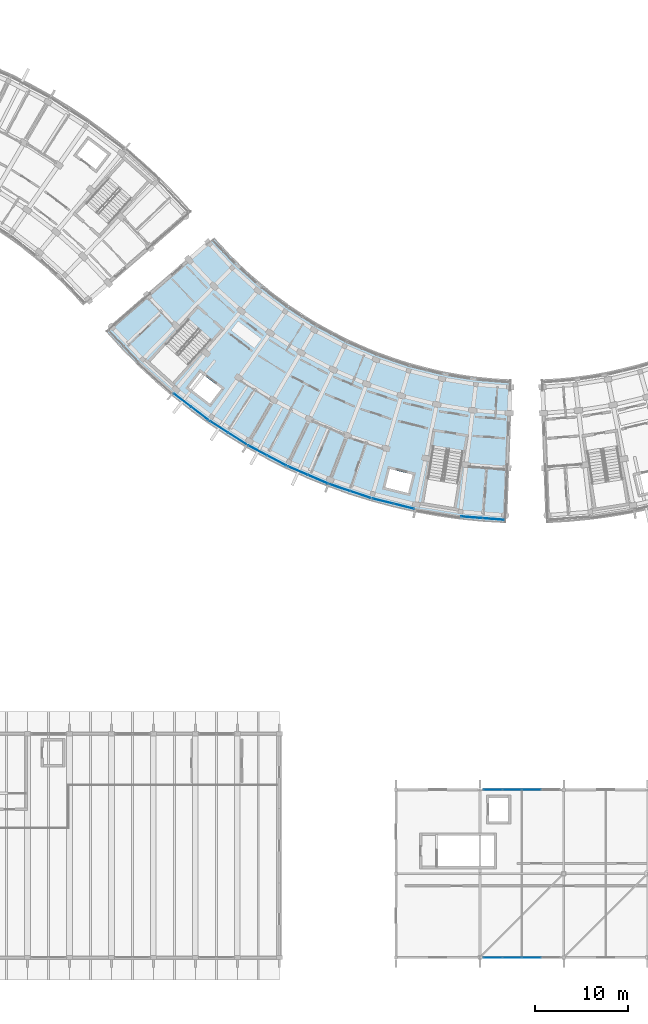
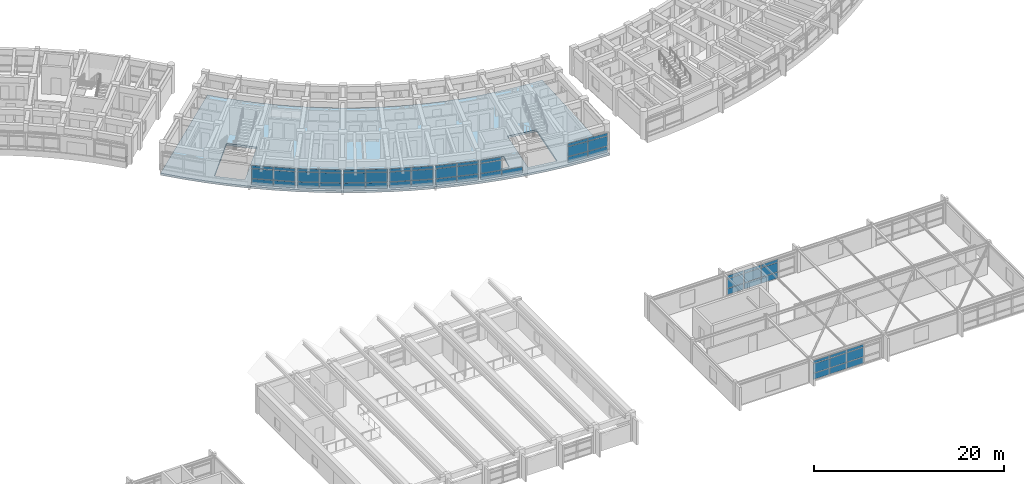
# One storey, part 43 of 83: 58 plates, 1 slab, 9 elements without a shape of their own.
"""IFC4 building model written with IfcOpenShell, lengths in metres."""

from ifc_helpers import new_model, si_unit, direction, frame, origin, origin_2d, place, context, subcontext, project, spatial, polyline, rectangle, outline, extrude, material, layer, layer_set, type_object, element, aggregate, save


model = new_model("IFC4")

# Units and contexts
model_context = context("Model", 3, precision=1e-05, world=origin(), true_north=direction((0.0, 1.0)))
body_context = subcontext(model_context, "Body", "Model", "MODEL_VIEW")
ifc_project = project(units=[si_unit("LENGTHUNIT", "METRE"), si_unit("AREAUNIT", "SQUARE_METRE"), si_unit("VOLUMEUNIT", "CUBIC_METRE"), si_unit("PLANEANGLEUNIT", "RADIAN"), si_unit("MASSUNIT", "GRAM", prefix="KILO")], contexts=[model_context])

# Site, building, storey
site_placement = place(None, origin())
site = spatial("IfcSite", under=ifc_project, at=site_placement, CompositionType="ELEMENT")
building_placement = place(site_placement, origin())
building = spatial("IfcBuilding", under=site, at=building_placement, Name="Zimvara Arc Housing Community", CompositionType="ELEMENT")
storey_placement = place(building_placement, frame((0.0, 0.0, 4.5)))
storey = spatial("IfcBuildingStorey", under=building, at=storey_placement, Name="L01", CompositionType="ELEMENT", Elevation=4.5)

# Curtain wall, plates
ifc_material_1 = material(Name="Anodised Aluminium AW-6063", Category="aluminium")
curtain_wall_type_1 = type_object("IfcCurtainWallType", Name="CW-SYS-01", PredefinedType="USERDEFINED", material=ifc_material_1)
curtain_wall_1_placement = place(storey_placement, origin())
curtain_wall_1 = element("IfcCurtainWall", 1, at=curtain_wall_1_placement, inside=storey, type_object=curtain_wall_type_1, Name="cw:blkC:L01:out:b3", ObjectType="CURTAIN WALL", PredefinedType="USERDEFINED")
ifc_material_2 = material(Name="Solar Control Low-E Double Glazing", Category="glass")
ifc_layer_1 = layer(ifc_material_2, 0.02392578125)
ifc_layer_set_1 = layer_set([ifc_layer_1], Name="Solar Control Low-E Double Glazing")
plate_type_1 = type_object("IfcPlateType", Name="CWP-GLZ-24", PredefinedType="CURTAIN_PANEL", material=ifc_layer_set_1)
plate_1_placement = place(storey_placement, frame((93.014892578125, 60.5166015625, 0.06494140625), z_axis=(0.0, 0.0, 1.0), x_axis=(0.842264410931, -0.539064617721, 0.0)))
plate_1 = element("IfcPlate", 2, at=plate_1_placement, type_object=plate_type_1, Name="CW01 panel 1.1", PredefinedType="CURTAIN_PANEL", context=body_context, shape_type="SweptSolid", body=[
    extrude(rectangle(XDim=2.266845703125, YDim=0.02392578125, at=origin_2d()), origin(), (0.0, 0.0, 1.0), 0.75244140625),
])
plate_2_placement = place(storey_placement, frame((93.014892578125, 60.5166015625, 0.88232421875), z_axis=(0.0, 0.0, 1.0), x_axis=(0.842264410931, -0.539064617721, 0.0)))
plate_2 = element("IfcPlate", 3, at=plate_2_placement, type_object=plate_type_1, Name="CW01 panel 1.2", PredefinedType="CURTAIN_PANEL", context=body_context, shape_type="SweptSolid", body=[
    extrude(rectangle(XDim=2.266845703125, YDim=0.02392578125, at=origin_2d()), origin(), (0.0, 0.0, 1.0), 1.235107421875),
])
plate_3_placement = place(storey_placement, frame((93.014892578125, 60.5166015625, 2.182373046875), z_axis=(0.0, 0.0, 1.0), x_axis=(0.842264410931, -0.539064617721, 0.0)))
plate_3 = element("IfcPlate", 4, at=plate_3_placement, type_object=plate_type_1, Name="CW01 panel 1.3", PredefinedType="CURTAIN_PANEL", context=body_context, shape_type="SweptSolid", body=[
    extrude(rectangle(XDim=2.266845703125, YDim=0.02392578125, at=origin_2d()), origin(), (0.0, 0.0, 1.0), 0.3525390625),
])
plate_4_placement = place(storey_placement, frame((94.97900390625, 59.259521484375, 0.06494140625), z_axis=(0.0, 0.0, 1.0), x_axis=(0.842264410931, -0.539064617721, 0.0)))
plate_4 = element("IfcPlate", 5, at=plate_4_placement, type_object=plate_type_1, Name="CW01 panel 2.1", PredefinedType="CURTAIN_PANEL", context=body_context, shape_type="SweptSolid", body=[
    extrude(rectangle(XDim=2.266845703125, YDim=0.02392578125, at=origin_2d()), origin(), (0.0, 0.0, 1.0), 0.75244140625),
])
plate_5_placement = place(storey_placement, frame((94.97900390625, 59.259521484375, 0.88232421875), z_axis=(0.0, 0.0, 1.0), x_axis=(0.842264410931, -0.539064617721, 0.0)))
plate_5 = element("IfcPlate", 6, at=plate_5_placement, type_object=plate_type_1, Name="CW01 panel 2.2", PredefinedType="CURTAIN_PANEL", context=body_context, shape_type="SweptSolid", body=[
    extrude(rectangle(XDim=2.266845703125, YDim=0.02392578125, at=origin_2d()), origin(), (0.0, 0.0, 1.0), 1.235107421875),
])
plate_6_placement = place(storey_placement, frame((94.97900390625, 59.259521484375, 2.182373046875), z_axis=(0.0, 0.0, 1.0), x_axis=(0.842264410931, -0.539064617721, 0.0)))
plate_6 = element("IfcPlate", 7, at=plate_6_placement, type_object=plate_type_1, Name="CW01 panel 2.3", PredefinedType="CURTAIN_PANEL", context=body_context, shape_type="SweptSolid", body=[
    extrude(rectangle(XDim=2.266845703125, YDim=0.02392578125, at=origin_2d()), origin(), (0.0, 0.0, 1.0), 0.3525390625),
])
aggregate(curtain_wall_1, [plate_1, plate_2, plate_3, plate_4, plate_5, plate_6])

ifc_material_3 = material(Name="Anodised Aluminium AW-6063", Category="aluminium")
curtain_wall_type_2 = type_object("IfcCurtainWallType", Name="CW-SYS-05", PredefinedType="USERDEFINED", material=ifc_material_3)
curtain_wall_2_placement = place(storey_placement, origin())
curtain_wall_2 = element("IfcCurtainWall", 8, at=curtain_wall_2_placement, inside=storey, type_object=curtain_wall_type_2, Name="cw:blkC:L01:out:b5", ObjectType="CURTAIN WALL", PredefinedType="USERDEFINED")
plate_7_placement = place(storey_placement, frame((101.47900390625, 55.812255859375, 0.06494140625), z_axis=(0.0, 0.0, 1.0), x_axis=(0.918722299363, -0.394904211998, 0.0)))
plate_7 = element("IfcPlate", 9, at=plate_7_placement, type_object=plate_type_1, Name="CW05 panel 1.1", PredefinedType="CURTAIN_PANEL", context=body_context, shape_type="SweptSolid", body=[
    extrude(rectangle(XDim=2.266845703125, YDim=0.02392578125, at=origin_2d()), origin(), (0.0, 0.0, 1.0), 0.75244140625),
])
plate_8_placement = place(storey_placement, frame((101.47900390625, 55.812255859375, 0.88232421875), z_axis=(0.0, 0.0, 1.0), x_axis=(0.918722299363, -0.394904211998, 0.0)))
plate_8 = element("IfcPlate", 10, at=plate_8_placement, type_object=plate_type_1, Name="CW05 panel 1.2", PredefinedType="CURTAIN_PANEL", context=body_context, shape_type="SweptSolid", body=[
    extrude(rectangle(XDim=2.266845703125, YDim=0.02392578125, at=origin_2d()), origin(), (0.0, 0.0, 1.0), 1.235107421875),
])
plate_9_placement = place(storey_placement, frame((101.47900390625, 55.812255859375, 2.182373046875), z_axis=(0.0, 0.0, 1.0), x_axis=(0.918722299363, -0.394904211998, 0.0)))
plate_9 = element("IfcPlate", 11, at=plate_9_placement, type_object=plate_type_1, Name="CW05 panel 1.3", PredefinedType="CURTAIN_PANEL", context=body_context, shape_type="SweptSolid", body=[
    extrude(rectangle(XDim=2.266845703125, YDim=0.02392578125, at=origin_2d()), origin(), (0.0, 0.0, 1.0), 0.3525390625),
])
plate_10_placement = place(storey_placement, frame((103.621337890625, 54.891357421875, 0.06494140625), z_axis=(0.0, 0.0, 1.0), x_axis=(0.918722299363, -0.394904211998, 0.0)))
plate_10 = element("IfcPlate", 12, at=plate_10_placement, type_object=plate_type_1, Name="CW05 panel 2.1", PredefinedType="CURTAIN_PANEL", context=body_context, shape_type="SweptSolid", body=[
    extrude(rectangle(XDim=2.266845703125, YDim=0.02392578125, at=origin_2d()), origin(), (0.0, 0.0, 1.0), 0.75244140625),
])
plate_11_placement = place(storey_placement, frame((103.621337890625, 54.891357421875, 0.88232421875), z_axis=(0.0, 0.0, 1.0), x_axis=(0.918722299363, -0.394904211998, 0.0)))
plate_11 = element("IfcPlate", 13, at=plate_11_placement, type_object=plate_type_1, Name="CW05 panel 2.2", PredefinedType="CURTAIN_PANEL", context=body_context, shape_type="SweptSolid", body=[
    extrude(rectangle(XDim=2.266845703125, YDim=0.02392578125, at=origin_2d()), origin(), (0.0, 0.0, 1.0), 1.235107421875),
])
plate_12_placement = place(storey_placement, frame((103.621337890625, 54.891357421875, 2.182373046875), z_axis=(0.0, 0.0, 1.0), x_axis=(0.918722299363, -0.394904211998, 0.0)))
plate_12 = element("IfcPlate", 14, at=plate_12_placement, type_object=plate_type_1, Name="CW05 panel 2.3", PredefinedType="CURTAIN_PANEL", context=body_context, shape_type="SweptSolid", body=[
    extrude(rectangle(XDim=2.266845703125, YDim=0.02392578125, at=origin_2d()), origin(), (0.0, 0.0, 1.0), 0.3525390625),
])
aggregate(curtain_wall_2, [plate_7, plate_8, plate_9, plate_10, plate_11, plate_12])

curtain_wall_3_placement = place(storey_placement, origin())
curtain_wall_3 = element("IfcCurtainWall", 15, at=curtain_wall_3_placement, inside=storey, type_object=curtain_wall_type_1, Name="cw:blkC:L01:out:b7", ObjectType="CURTAIN WALL", PredefinedType="USERDEFINED")
plate_13_placement = place(storey_placement, frame((110.59521484375, 52.547119140625, 0.06494140625), z_axis=(0.0, 0.0, 1.0), x_axis=(0.970716068627, -0.240229711131, 0.0)))
plate_13 = element("IfcPlate", 16, at=plate_13_placement, type_object=plate_type_1, Name="CW01 panel 1.1", PredefinedType="CURTAIN_PANEL", context=body_context, shape_type="SweptSolid", body=[
    extrude(rectangle(XDim=2.266845703125, YDim=0.02392578125, at=origin_2d()), origin(), (0.0, 0.0, 1.0), 0.75244140625),
])
plate_14_placement = place(storey_placement, frame((110.59521484375, 52.547119140625, 0.88232421875), z_axis=(0.0, 0.0, 1.0), x_axis=(0.970716068627, -0.240229711131, 0.0)))
plate_14 = element("IfcPlate", 17, at=plate_14_placement, type_object=plate_type_1, Name="CW01 panel 1.2", PredefinedType="CURTAIN_PANEL", context=body_context, shape_type="SweptSolid", body=[
    extrude(rectangle(XDim=2.266845703125, YDim=0.02392578125, at=origin_2d()), origin(), (0.0, 0.0, 1.0), 1.235107421875),
])
plate_15_placement = place(storey_placement, frame((110.59521484375, 52.547119140625, 2.182373046875), z_axis=(0.0, 0.0, 1.0), x_axis=(0.970716068627, -0.240229711131, 0.0)))
plate_15 = element("IfcPlate", 18, at=plate_15_placement, type_object=plate_type_1, Name="CW01 panel 1.3", PredefinedType="CURTAIN_PANEL", context=body_context, shape_type="SweptSolid", body=[
    extrude(rectangle(XDim=2.266845703125, YDim=0.02392578125, at=origin_2d()), origin(), (0.0, 0.0, 1.0), 0.3525390625),
])
plate_16_placement = place(storey_placement, frame((112.85888671875, 51.98681640625, 0.06494140625), z_axis=(0.0, 0.0, 1.0), x_axis=(0.970716068627, -0.240229711131, 0.0)))
plate_16 = element("IfcPlate", 19, at=plate_16_placement, type_object=plate_type_1, Name="CW01 panel 2.1", PredefinedType="CURTAIN_PANEL", context=body_context, shape_type="SweptSolid", body=[
    extrude(rectangle(XDim=2.266845703125, YDim=0.02392578125, at=origin_2d()), origin(), (0.0, 0.0, 1.0), 0.75244140625),
])
aggregate(curtain_wall_3, [plate_13, plate_14, plate_15, plate_16])

curtain_wall_4_placement = place(storey_placement, origin())
curtain_wall_4 = element("IfcCurtainWall", 20, at=curtain_wall_4_placement, inside=storey, type_object=curtain_wall_type_1, Name="cw:nursery:L01:south:b1", ObjectType="CURTAIN WALL", PredefinedType="USERDEFINED")
plate_17_placement = place(storey_placement, frame((122.4111328125, 3.60009765625, 0.06494140625), z_axis=(0.0, 0.0, 1.0), x_axis=(1.0, 0.0, 0.0)))
plate_17 = element("IfcPlate", 21, at=plate_17_placement, type_object=plate_type_1, Name="CW01 panel 1.1", PredefinedType="CURTAIN_PANEL", context=body_context, shape_type="SweptSolid", body=[
    extrude(rectangle(XDim=1.972412109375, YDim=0.02392578125, at=origin_2d()), origin(), (0.0, 0.0, 1.0), 0.75244140625),
])
plate_18_placement = place(storey_placement, frame((122.4111328125, 3.60009765625, 0.882568359375), z_axis=(0.0, 0.0, 1.0), x_axis=(1.0, 0.0, 0.0)))
plate_18 = element("IfcPlate", 22, at=plate_18_placement, type_object=plate_type_1, Name="CW01 panel 1.2", PredefinedType="CURTAIN_PANEL", context=body_context, shape_type="SweptSolid", body=[
    extrude(rectangle(XDim=1.972412109375, YDim=0.02392578125, at=origin_2d()), origin(), (0.0, 0.0, 1.0), 1.18505859375),
])
plate_19_placement = place(storey_placement, frame((122.4111328125, 3.60009765625, 2.132568359375), z_axis=(0.0, 0.0, 1.0), x_axis=(1.0, 0.0, 0.0)))
plate_19 = element("IfcPlate", 23, at=plate_19_placement, type_object=plate_type_1, Name="CW01 panel 1.3", PredefinedType="CURTAIN_PANEL", context=body_context, shape_type="SweptSolid", body=[
    extrude(rectangle(XDim=1.972412109375, YDim=0.02392578125, at=origin_2d()), origin(), (0.0, 0.0, 1.0), 0.3525390625),
])
plate_20_placement = place(storey_placement, frame((124.465087890625, 3.60009765625, 0.06494140625), z_axis=(0.0, 0.0, 1.0), x_axis=(1.0, 0.0, 0.0)))
plate_20 = element("IfcPlate", 24, at=plate_20_placement, type_object=plate_type_1, Name="CW01 panel 2.1", PredefinedType="CURTAIN_PANEL", context=body_context, shape_type="SweptSolid", body=[
    extrude(rectangle(XDim=2.0048828125, YDim=0.02392578125, at=origin_2d()), origin(), (0.0, 0.0, 1.0), 0.75244140625),
])
plate_21_placement = place(storey_placement, frame((124.465087890625, 3.60009765625, 0.882568359375), z_axis=(0.0, 0.0, 1.0), x_axis=(1.0, 0.0, 0.0)))
plate_21 = element("IfcPlate", 25, at=plate_21_placement, type_object=plate_type_1, Name="CW01 panel 2.2", PredefinedType="CURTAIN_PANEL", context=body_context, shape_type="SweptSolid", body=[
    extrude(rectangle(XDim=2.0048828125, YDim=0.02392578125, at=origin_2d()), origin(), (0.0, 0.0, 1.0), 1.18505859375),
])
plate_22_placement = place(storey_placement, frame((124.465087890625, 3.60009765625, 2.132568359375), z_axis=(0.0, 0.0, 1.0), x_axis=(1.0, 0.0, 0.0)))
plate_22 = element("IfcPlate", 26, at=plate_22_placement, type_object=plate_type_1, Name="CW01 panel 2.3", PredefinedType="CURTAIN_PANEL", context=body_context, shape_type="SweptSolid", body=[
    extrude(rectangle(XDim=2.0048828125, YDim=0.02392578125, at=origin_2d()), origin(), (0.0, 0.0, 1.0), 0.3525390625),
])
plate_23_placement = place(storey_placement, frame((126.534912109375, 3.60009765625, 0.06494140625), z_axis=(0.0, 0.0, 1.0), x_axis=(1.0, 0.0, 0.0)))
plate_23 = element("IfcPlate", 27, at=plate_23_placement, type_object=plate_type_1, Name="CW01 panel 3.1", PredefinedType="CURTAIN_PANEL", context=body_context, shape_type="SweptSolid", body=[
    extrude(rectangle(XDim=2.0048828125, YDim=0.02392578125, at=origin_2d()), origin(), (0.0, 0.0, 1.0), 0.75244140625),
])
plate_24_placement = place(storey_placement, frame((126.534912109375, 3.60009765625, 0.882568359375), z_axis=(0.0, 0.0, 1.0), x_axis=(1.0, 0.0, 0.0)))
plate_24 = element("IfcPlate", 28, at=plate_24_placement, type_object=plate_type_1, Name="CW01 panel 3.2", PredefinedType="CURTAIN_PANEL", context=body_context, shape_type="SweptSolid", body=[
    extrude(rectangle(XDim=2.0048828125, YDim=0.02392578125, at=origin_2d()), origin(), (0.0, 0.0, 1.0), 1.18505859375),
])
plate_25_placement = place(storey_placement, frame((126.534912109375, 3.60009765625, 2.132568359375), z_axis=(0.0, 0.0, 1.0), x_axis=(1.0, 0.0, 0.0)))
plate_25 = element("IfcPlate", 29, at=plate_25_placement, type_object=plate_type_1, Name="CW01 panel 3.3", PredefinedType="CURTAIN_PANEL", context=body_context, shape_type="SweptSolid", body=[
    extrude(rectangle(XDim=2.0048828125, YDim=0.02392578125, at=origin_2d()), origin(), (0.0, 0.0, 1.0), 0.3525390625),
])
aggregate(curtain_wall_4, [plate_17, plate_18, plate_19, plate_20, plate_21, plate_22, plate_23, plate_24, plate_25])

ifc_material_4 = material(Name="Anodised Aluminium AW-6063", Category="aluminium")
curtain_wall_type_3 = type_object("IfcCurtainWallType", Name="CW-SYS-07", PredefinedType="USERDEFINED", material=ifc_material_4)
curtain_wall_5_placement = place(storey_placement, origin())
curtain_wall_5 = element("IfcCurtainWall", 30, at=curtain_wall_5_placement, inside=storey, type_object=curtain_wall_type_3, Name="cw:blkC:L01:out:b2", ObjectType="CURTAIN WALL", PredefinedType="USERDEFINED")
ifc_material_5 = material(Name="Acoustic Laminated Solar Glazing", Category="glass")
ifc_layer_2 = layer(ifc_material_5, 0.031982421875)
ifc_layer_set_2 = layer_set([ifc_layer_2], Name="Acoustic Laminated Solar Glazing")
plate_type_2 = type_object("IfcPlateType", Name="CWP-GLZ-32", PredefinedType="CURTAIN_PANEL", material=ifc_layer_set_2)
plate_26_placement = place(storey_placement, frame((89.098876953125, 63.370849609375, 0.06494140625), z_axis=(0.0, 0.0, 1.0), x_axis=(0.795473999177, -0.60598771987, 0.0)))
plate_26 = element("IfcPlate", 31, at=plate_26_placement, type_object=plate_type_2, Name="CW07 panel 1.1", PredefinedType="CURTAIN_PANEL", context=body_context, shape_type="SweptSolid", body=[
    extrude(rectangle(XDim=2.266845703125, YDim=0.031982421875, at=origin_2d()), origin(), (0.0, 0.0, 1.0), 0.75244140625),
])
plate_27_placement = place(storey_placement, frame((89.098876953125, 63.370849609375, 0.88232421875), z_axis=(0.0, 0.0, 1.0), x_axis=(0.795473999177, -0.60598771987, 0.0)))
plate_27 = element("IfcPlate", 32, at=plate_27_placement, type_object=plate_type_2, Name="CW07 panel 1.2", PredefinedType="CURTAIN_PANEL", context=body_context, shape_type="SweptSolid", body=[
    extrude(rectangle(XDim=2.266845703125, YDim=0.031982421875, at=origin_2d()), origin(), (0.0, 0.0, 1.0), 1.235107421875),
])
plate_28_placement = place(storey_placement, frame((89.098876953125, 63.370849609375, 2.182373046875), z_axis=(0.0, 0.0, 1.0), x_axis=(0.795473999177, -0.60598771987, 0.0)))
plate_28 = element("IfcPlate", 33, at=plate_28_placement, type_object=plate_type_2, Name="CW07 panel 1.3", PredefinedType="CURTAIN_PANEL", context=body_context, shape_type="SweptSolid", body=[
    extrude(rectangle(XDim=2.266845703125, YDim=0.031982421875, at=origin_2d()), origin(), (0.0, 0.0, 1.0), 0.3525390625),
])
plate_29_placement = place(storey_placement, frame((90.953857421875, 61.95751953125, 0.06494140625), z_axis=(0.0, 0.0, 1.0), x_axis=(0.795473999177, -0.60598771987, 0.0)))
plate_29 = element("IfcPlate", 34, at=plate_29_placement, type_object=plate_type_2, Name="CW07 panel 2.1", PredefinedType="CURTAIN_PANEL", context=body_context, shape_type="SweptSolid", body=[
    extrude(rectangle(XDim=2.266845703125, YDim=0.031982421875, at=origin_2d()), origin(), (0.0, 0.0, 1.0), 0.75244140625),
])
plate_30_placement = place(storey_placement, frame((90.953857421875, 61.95751953125, 0.88232421875), z_axis=(0.0, 0.0, 1.0), x_axis=(0.795473999177, -0.60598771987, 0.0)))
plate_30 = element("IfcPlate", 35, at=plate_30_placement, type_object=plate_type_2, Name="CW07 panel 2.2", PredefinedType="CURTAIN_PANEL", context=body_context, shape_type="SweptSolid", body=[
    extrude(rectangle(XDim=2.266845703125, YDim=0.031982421875, at=origin_2d()), origin(), (0.0, 0.0, 1.0), 1.235107421875),
])
plate_31_placement = place(storey_placement, frame((90.953857421875, 61.95751953125, 2.182373046875), z_axis=(0.0, 0.0, 1.0), x_axis=(0.795473999177, -0.60598771987, 0.0)))
plate_31 = element("IfcPlate", 36, at=plate_31_placement, type_object=plate_type_2, Name="CW07 panel 2.3", PredefinedType="CURTAIN_PANEL", context=body_context, shape_type="SweptSolid", body=[
    extrude(rectangle(XDim=2.266845703125, YDim=0.031982421875, at=origin_2d()), origin(), (0.0, 0.0, 1.0), 0.3525390625),
])
aggregate(curtain_wall_5, [plate_26, plate_27, plate_28, plate_29, plate_30, plate_31])

ifc_material_6 = material(Name="Anodised Aluminium AW-6063", Category="aluminium")
curtain_wall_type_4 = type_object("IfcCurtainWallType", Name="CW-SYS-03", PredefinedType="USERDEFINED", material=ifc_material_6)
curtain_wall_6_placement = place(storey_placement, origin())
curtain_wall_6 = element("IfcCurtainWall", 37, at=curtain_wall_6_placement, inside=storey, type_object=curtain_wall_type_4, Name="cw:blkC:L01:out:b4", ObjectType="CURTAIN WALL", PredefinedType="USERDEFINED")
plate_32_placement = place(storey_placement, frame((97.15087890625, 57.991455078125, 0.06494140625), z_axis=(0.0, 0.0, 1.0), x_axis=(0.883438614651, -0.468546917761, 0.0)))
plate_32 = element("IfcPlate", 38, at=plate_32_placement, type_object=plate_type_2, Name="CW03 panel 1.1", PredefinedType="CURTAIN_PANEL", context=body_context, shape_type="SweptSolid", body=[
    extrude(rectangle(XDim=2.266845703125, YDim=0.031982421875, at=origin_2d()), origin(), (0.0, 0.0, 1.0), 0.75244140625),
])
plate_33_placement = place(storey_placement, frame((97.15087890625, 57.991455078125, 0.88232421875), z_axis=(0.0, 0.0, 1.0), x_axis=(0.883438614651, -0.468546917761, 0.0)))
plate_33 = element("IfcPlate", 39, at=plate_33_placement, type_object=plate_type_2, Name="CW03 panel 1.2", PredefinedType="CURTAIN_PANEL", context=body_context, shape_type="SweptSolid", body=[
    extrude(rectangle(XDim=2.266845703125, YDim=0.031982421875, at=origin_2d()), origin(), (0.0, 0.0, 1.0), 1.235107421875),
])
plate_34_placement = place(storey_placement, frame((97.15087890625, 57.991455078125, 2.182373046875), z_axis=(0.0, 0.0, 1.0), x_axis=(0.883438614651, -0.468546917761, 0.0)))
plate_34 = element("IfcPlate", 40, at=plate_34_placement, type_object=plate_type_2, Name="CW03 panel 1.3", PredefinedType="CURTAIN_PANEL", context=body_context, shape_type="SweptSolid", body=[
    extrude(rectangle(XDim=2.266845703125, YDim=0.031982421875, at=origin_2d()), origin(), (0.0, 0.0, 1.0), 0.3525390625),
])
plate_35_placement = place(storey_placement, frame((99.2109375, 56.89892578125, 0.06494140625), z_axis=(0.0, 0.0, 1.0), x_axis=(0.883438614651, -0.468546917761, 0.0)))
plate_35 = element("IfcPlate", 41, at=plate_35_placement, type_object=plate_type_2, Name="CW03 panel 2.1", PredefinedType="CURTAIN_PANEL", context=body_context, shape_type="SweptSolid", body=[
    extrude(rectangle(XDim=2.266845703125, YDim=0.031982421875, at=origin_2d()), origin(), (0.0, 0.0, 1.0), 0.75244140625),
])
plate_36_placement = place(storey_placement, frame((99.2109375, 56.89892578125, 0.88232421875), z_axis=(0.0, 0.0, 1.0), x_axis=(0.883438614651, -0.468546917761, 0.0)))
plate_36 = element("IfcPlate", 42, at=plate_36_placement, type_object=plate_type_2, Name="CW03 panel 2.2", PredefinedType="CURTAIN_PANEL", context=body_context, shape_type="SweptSolid", body=[
    extrude(rectangle(XDim=2.266845703125, YDim=0.031982421875, at=origin_2d()), origin(), (0.0, 0.0, 1.0), 1.235107421875),
])
plate_37_placement = place(storey_placement, frame((99.2109375, 56.89892578125, 2.182373046875), z_axis=(0.0, 0.0, 1.0), x_axis=(0.883438614651, -0.468546917761, 0.0)))
plate_37 = element("IfcPlate", 43, at=plate_37_placement, type_object=plate_type_2, Name="CW03 panel 2.3", PredefinedType="CURTAIN_PANEL", context=body_context, shape_type="SweptSolid", body=[
    extrude(rectangle(XDim=2.266845703125, YDim=0.031982421875, at=origin_2d()), origin(), (0.0, 0.0, 1.0), 0.3525390625),
])
aggregate(curtain_wall_6, [plate_32, plate_33, plate_34, plate_35, plate_36, plate_37])

curtain_wall_7_placement = place(storey_placement, origin())
curtain_wall_7 = element("IfcCurtainWall", 44, at=curtain_wall_7_placement, inside=storey, type_object=curtain_wall_type_3, Name="cw:blkC:L01:out:b6", ObjectType="CURTAIN WALL", PredefinedType="USERDEFINED")
plate_38_placement = place(storey_placement, frame((105.970458984375, 53.993408203125, 0.06494140625), z_axis=(0.0, 0.0, 1.0), x_axis=(0.947879647164, -0.318628583921, 0.0)))
plate_38 = element("IfcPlate", 45, at=plate_38_placement, type_object=plate_type_2, Name="CW07 panel 1.1", PredefinedType="CURTAIN_PANEL", context=body_context, shape_type="SweptSolid", body=[
    extrude(rectangle(XDim=2.266845703125, YDim=0.031982421875, at=origin_2d()), origin(), (0.0, 0.0, 1.0), 0.75244140625),
])
plate_39_placement = place(storey_placement, frame((105.970458984375, 53.993408203125, 0.88232421875), z_axis=(0.0, 0.0, 1.0), x_axis=(0.947879647164, -0.318628583921, 0.0)))
plate_39 = element("IfcPlate", 46, at=plate_39_placement, type_object=plate_type_2, Name="CW07 panel 1.2", PredefinedType="CURTAIN_PANEL", context=body_context, shape_type="SweptSolid", body=[
    extrude(rectangle(XDim=2.266845703125, YDim=0.031982421875, at=origin_2d()), origin(), (0.0, 0.0, 1.0), 1.235107421875),
])
plate_40_placement = place(storey_placement, frame((105.970458984375, 53.993408203125, 2.182373046875), z_axis=(0.0, 0.0, 1.0), x_axis=(0.947879647164, -0.318628583921, 0.0)))
plate_40 = element("IfcPlate", 47, at=plate_40_placement, type_object=plate_type_2, Name="CW07 panel 1.3", PredefinedType="CURTAIN_PANEL", context=body_context, shape_type="SweptSolid", body=[
    extrude(rectangle(XDim=2.266845703125, YDim=0.031982421875, at=origin_2d()), origin(), (0.0, 0.0, 1.0), 0.3525390625),
])
plate_41_placement = place(storey_placement, frame((108.180908203125, 53.250244140625, 0.06494140625), z_axis=(0.0, 0.0, 1.0), x_axis=(0.947879647164, -0.318628583921, 0.0)))
plate_41 = element("IfcPlate", 48, at=plate_41_placement, type_object=plate_type_2, Name="CW07 panel 2.1", PredefinedType="CURTAIN_PANEL", context=body_context, shape_type="SweptSolid", body=[
    extrude(rectangle(XDim=2.266845703125, YDim=0.031982421875, at=origin_2d()), origin(), (0.0, 0.0, 1.0), 0.75244140625),
])
plate_42_placement = place(storey_placement, frame((108.180908203125, 53.250244140625, 0.88232421875), z_axis=(0.0, 0.0, 1.0), x_axis=(0.947879647164, -0.318628583921, 0.0)))
plate_42 = element("IfcPlate", 49, at=plate_42_placement, type_object=plate_type_2, Name="CW07 panel 2.2", PredefinedType="CURTAIN_PANEL", context=body_context, shape_type="SweptSolid", body=[
    extrude(rectangle(XDim=2.266845703125, YDim=0.031982421875, at=origin_2d()), origin(), (0.0, 0.0, 1.0), 1.235107421875),
])
plate_43_placement = place(storey_placement, frame((108.180908203125, 53.250244140625, 2.182373046875), z_axis=(0.0, 0.0, 1.0), x_axis=(0.947879647164, -0.318628583921, 0.0)))
plate_43 = element("IfcPlate", 50, at=plate_43_placement, type_object=plate_type_2, Name="CW07 panel 2.3", PredefinedType="CURTAIN_PANEL", context=body_context, shape_type="SweptSolid", body=[
    extrude(rectangle(XDim=2.266845703125, YDim=0.031982421875, at=origin_2d()), origin(), (0.0, 0.0, 1.0), 0.3525390625),
])
aggregate(curtain_wall_7, [plate_38, plate_39, plate_40, plate_41, plate_42, plate_43])

curtain_wall_8_placement = place(storey_placement, origin())
curtain_wall_8 = element("IfcCurtainWall", 51, at=curtain_wall_8_placement, inside=storey, type_object=curtain_wall_type_4, Name="cw:blkC:L01:out:b9", ObjectType="CURTAIN WALL", PredefinedType="USERDEFINED")
plate_44_placement = place(storey_placement, frame((120.121337890625, 50.807861328125, 0.06494140625), z_axis=(0.0, 0.0, 1.0), x_axis=(0.996862418963, -0.079153759607, 0.0)))
plate_44 = element("IfcPlate", 52, at=plate_44_placement, type_object=plate_type_2, Name="CW03 panel 1.1", PredefinedType="CURTAIN_PANEL", context=body_context, shape_type="SweptSolid", body=[
    extrude(rectangle(XDim=2.266845703125, YDim=0.031982421875, at=origin_2d()), origin(), (0.0, 0.0, 1.0), 0.75244140625),
])
plate_45_placement = place(storey_placement, frame((120.121337890625, 50.807861328125, 0.88232421875), z_axis=(0.0, 0.0, 1.0), x_axis=(0.996862418963, -0.079153759607, 0.0)))
plate_45 = element("IfcPlate", 53, at=plate_45_placement, type_object=plate_type_2, Name="CW03 panel 1.2", PredefinedType="CURTAIN_PANEL", context=body_context, shape_type="SweptSolid", body=[
    extrude(rectangle(XDim=2.266845703125, YDim=0.031982421875, at=origin_2d()), origin(), (0.0, 0.0, 1.0), 1.235107421875),
])
plate_46_placement = place(storey_placement, frame((120.121337890625, 50.807861328125, 2.182373046875), z_axis=(0.0, 0.0, 1.0), x_axis=(0.996862418963, -0.079153759607, 0.0)))
plate_46 = element("IfcPlate", 54, at=plate_46_placement, type_object=plate_type_2, Name="CW03 panel 1.3", PredefinedType="CURTAIN_PANEL", context=body_context, shape_type="SweptSolid", body=[
    extrude(rectangle(XDim=2.266845703125, YDim=0.031982421875, at=origin_2d()), origin(), (0.0, 0.0, 1.0), 0.3525390625),
])
plate_47_placement = place(storey_placement, frame((122.446044921875, 50.623291015625, 0.06494140625), z_axis=(0.0, 0.0, 1.0), x_axis=(0.996862418963, -0.079153759607, 0.0)))
plate_47 = element("IfcPlate", 55, at=plate_47_placement, type_object=plate_type_2, Name="CW03 panel 2.1", PredefinedType="CURTAIN_PANEL", context=body_context, shape_type="SweptSolid", body=[
    extrude(rectangle(XDim=2.266845703125, YDim=0.031982421875, at=origin_2d()), origin(), (0.0, 0.0, 1.0), 0.75244140625),
])
plate_48_placement = place(storey_placement, frame((122.446044921875, 50.623291015625, 0.88232421875), z_axis=(0.0, 0.0, 1.0), x_axis=(0.996862418963, -0.079153759607, 0.0)))
plate_48 = element("IfcPlate", 56, at=plate_48_placement, type_object=plate_type_2, Name="CW03 panel 2.2", PredefinedType="CURTAIN_PANEL", context=body_context, shape_type="SweptSolid", body=[
    extrude(rectangle(XDim=2.266845703125, YDim=0.031982421875, at=origin_2d()), origin(), (0.0, 0.0, 1.0), 1.235107421875),
])
plate_49_placement = place(storey_placement, frame((122.446044921875, 50.623291015625, 2.182373046875), z_axis=(0.0, 0.0, 1.0), x_axis=(0.996862418963, -0.079153759607, 0.0)))
plate_49 = element("IfcPlate", 57, at=plate_49_placement, type_object=plate_type_2, Name="CW03 panel 2.3", PredefinedType="CURTAIN_PANEL", context=body_context, shape_type="SweptSolid", body=[
    extrude(rectangle(XDim=2.266845703125, YDim=0.031982421875, at=origin_2d()), origin(), (0.0, 0.0, 1.0), 0.3525390625),
])
aggregate(curtain_wall_8, [plate_44, plate_45, plate_46, plate_47, plate_48, plate_49])

curtain_wall_9_placement = place(storey_placement, origin())
curtain_wall_9 = element("IfcCurtainWall", 58, at=curtain_wall_9_placement, inside=storey, type_object=curtain_wall_type_4, Name="cw:nursery:L01:north:b1", ObjectType="CURTAIN WALL", PredefinedType="USERDEFINED")
plate_50_placement = place(storey_placement, frame((122.4111328125, 21.60009765625, 0.06494140625), z_axis=(0.0, 0.0, 1.0), x_axis=(1.0, 0.0, 0.0)))
plate_50 = element("IfcPlate", 59, at=plate_50_placement, type_object=plate_type_2, Name="CW03 panel 1.1", PredefinedType="CURTAIN_PANEL", context=body_context, shape_type="SweptSolid", body=[
    extrude(rectangle(XDim=1.972412109375, YDim=0.031982421875, at=origin_2d()), origin(), (0.0, 0.0, 1.0), 0.75244140625),
])
plate_51_placement = place(storey_placement, frame((122.4111328125, 21.60009765625, 0.882568359375), z_axis=(0.0, 0.0, 1.0), x_axis=(1.0, 0.0, 0.0)))
plate_51 = element("IfcPlate", 60, at=plate_51_placement, type_object=plate_type_2, Name="CW03 panel 1.2", PredefinedType="CURTAIN_PANEL", context=body_context, shape_type="SweptSolid", body=[
    extrude(rectangle(XDim=1.972412109375, YDim=0.031982421875, at=origin_2d()), origin(), (0.0, 0.0, 1.0), 1.18505859375),
])
plate_52_placement = place(storey_placement, frame((122.4111328125, 21.60009765625, 2.132568359375), z_axis=(0.0, 0.0, 1.0), x_axis=(1.0, 0.0, 0.0)))
plate_52 = element("IfcPlate", 61, at=plate_52_placement, type_object=plate_type_2, Name="CW03 panel 1.3", PredefinedType="CURTAIN_PANEL", context=body_context, shape_type="SweptSolid", body=[
    extrude(rectangle(XDim=1.972412109375, YDim=0.031982421875, at=origin_2d()), origin(), (0.0, 0.0, 1.0), 0.3525390625),
])
plate_53_placement = place(storey_placement, frame((124.465087890625, 21.60009765625, 0.06494140625), z_axis=(0.0, 0.0, 1.0), x_axis=(1.0, 0.0, 0.0)))
plate_53 = element("IfcPlate", 62, at=plate_53_placement, type_object=plate_type_2, Name="CW03 panel 2.1", PredefinedType="CURTAIN_PANEL", context=body_context, shape_type="SweptSolid", body=[
    extrude(rectangle(XDim=2.0048828125, YDim=0.031982421875, at=origin_2d()), origin(), (0.0, 0.0, 1.0), 0.75244140625),
])
plate_54_placement = place(storey_placement, frame((124.465087890625, 21.60009765625, 0.882568359375), z_axis=(0.0, 0.0, 1.0), x_axis=(1.0, 0.0, 0.0)))
plate_54 = element("IfcPlate", 63, at=plate_54_placement, type_object=plate_type_2, Name="CW03 panel 2.2", PredefinedType="CURTAIN_PANEL", context=body_context, shape_type="SweptSolid", body=[
    extrude(rectangle(XDim=2.0048828125, YDim=0.031982421875, at=origin_2d()), origin(), (0.0, 0.0, 1.0), 1.18505859375),
])
plate_55_placement = place(storey_placement, frame((124.465087890625, 21.60009765625, 2.132568359375), z_axis=(0.0, 0.0, 1.0), x_axis=(1.0, 0.0, 0.0)))
plate_55 = element("IfcPlate", 64, at=plate_55_placement, type_object=plate_type_2, Name="CW03 panel 2.3", PredefinedType="CURTAIN_PANEL", context=body_context, shape_type="SweptSolid", body=[
    extrude(rectangle(XDim=2.0048828125, YDim=0.031982421875, at=origin_2d()), origin(), (0.0, 0.0, 1.0), 0.3525390625),
])
plate_56_placement = place(storey_placement, frame((126.534912109375, 21.60009765625, 0.06494140625), z_axis=(0.0, 0.0, 1.0), x_axis=(1.0, 0.0, 0.0)))
plate_56 = element("IfcPlate", 65, at=plate_56_placement, type_object=plate_type_2, Name="CW03 panel 3.1", PredefinedType="CURTAIN_PANEL", context=body_context, shape_type="SweptSolid", body=[
    extrude(rectangle(XDim=2.0048828125, YDim=0.031982421875, at=origin_2d()), origin(), (0.0, 0.0, 1.0), 0.75244140625),
])
plate_57_placement = place(storey_placement, frame((126.534912109375, 21.60009765625, 0.882568359375), z_axis=(0.0, 0.0, 1.0), x_axis=(1.0, 0.0, 0.0)))
plate_57 = element("IfcPlate", 66, at=plate_57_placement, type_object=plate_type_2, Name="CW03 panel 3.2", PredefinedType="CURTAIN_PANEL", context=body_context, shape_type="SweptSolid", body=[
    extrude(rectangle(XDim=2.0048828125, YDim=0.031982421875, at=origin_2d()), origin(), (0.0, 0.0, 1.0), 1.18505859375),
])
plate_58_placement = place(storey_placement, frame((126.534912109375, 21.60009765625, 2.132568359375), z_axis=(0.0, 0.0, 1.0), x_axis=(1.0, 0.0, 0.0)))
plate_58 = element("IfcPlate", 67, at=plate_58_placement, type_object=plate_type_2, Name="CW03 panel 3.3", PredefinedType="CURTAIN_PANEL", context=body_context, shape_type="SweptSolid", body=[
    extrude(rectangle(XDim=2.0048828125, YDim=0.031982421875, at=origin_2d()), origin(), (0.0, 0.0, 1.0), 0.3525390625),
])
aggregate(curtain_wall_9, [plate_50, plate_51, plate_52, plate_53, plate_54, plate_55, plate_56, plate_57, plate_58])

# Slab
ifc_material_7 = material(Name="Concrete C35/45", Category="concrete")
ifc_layer_3 = layer(ifc_material_7, 0.248046875)
ifc_layer_set_3 = layer_set([ifc_layer_3], Name="Concrete C35/45")
slab_type = type_object("IfcSlabType", Name="SLB-VAR-08", PredefinedType="FLOOR", material=ifc_layer_set_3)
slab_placement = place(storey_placement, frame((0.0, 0.0, -0.248046875)))
element("IfcSlab", 68, at=slab_placement, inside=storey, type_object=slab_type, Name="slab:blkC:L01:main", PredefinedType="FLOOR", context=body_context, shape_type="SweptSolid", body=[
    extrude(outline(polyline([(80.999267578125, 70.7587890625), (82.63330078125, 68.954833984375), (84.339599609375, 67.21923828125), (86.115234375, 65.5546875), (87.95751953125, 63.9638671875), (89.863037109375, 62.44970703125), (91.828857421875, 61.0146484375), (93.851806640625, 59.6611328125), (95.92822265625, 58.39111328125), (98.0546875, 57.20703125), (100.227783203125, 56.11083984375), (102.443603515625, 55.104248046875), (104.698974609375, 54.188720703125), (106.98974609375, 53.366455078125), (109.312255859375, 52.63818359375), (111.662353515625, 52.00537109375), (114.03662109375, 51.468994140625), (116.430419921875, 51.030029296875), (118.840576171875, 50.689208984375), (121.262451171875, 50.447021484375), (123.692138671875, 50.303955078125), (124.275634765625, 65.49267578125), (122.465576171875, 65.599365234375), (120.661376953125, 65.77978515625), (118.865966796875, 66.03369140625), (117.08251953125, 66.360595703125), (115.31396484375, 66.76025390625), (113.56298828125, 67.231689453125), (111.8330078125, 67.774169921875), (110.12646484375, 68.386962890625), (108.4462890625, 69.06884765625), (106.79541015625, 69.818603515625), (105.176513671875, 70.63525390625), (103.59228515625, 71.517333984375), (102.04541015625, 72.46337890625), (100.53857421875, 73.471923828125), (99.07421875, 74.541015625), (97.654541015625, 75.6689453125), (96.2822265625, 76.85400390625), (94.959228515625, 78.093994140625), (93.688232421875, 79.38720703125), (92.470947265625, 80.73095703125), (80.999267578125, 70.7587890625)]), holes=[polyline([(92.150390625, 69.81005859375), (88.070068359375, 65.275390625), (85.6318359375, 67.46923828125), (89.7119140625, 72.00390625), (92.150390625, 69.81005859375)]), polyline([(119.202880859375, 57.874267578125), (118.2255859375, 51.85302734375), (114.988037109375, 52.378662109375), (115.96533203125, 58.399658203125), (119.202880859375, 57.874267578125)]), polyline([(93.29541015625, 64.612060546875), (92.05908203125, 62.9892578125), (89.800048828125, 64.710205078125), (91.036376953125, 66.3330078125), (93.29541015625, 64.612060546875)]), polyline([(113.80810546875, 55.388916015625), (113.318115234375, 53.40869140625), (110.852294921875, 54.018798828125), (111.342529296875, 55.9990234375), (113.80810546875, 55.388916015625)])]), origin(), (0.0, 0.0, 1.0), 0.248046875),
])

save(model, "model.ifc")
